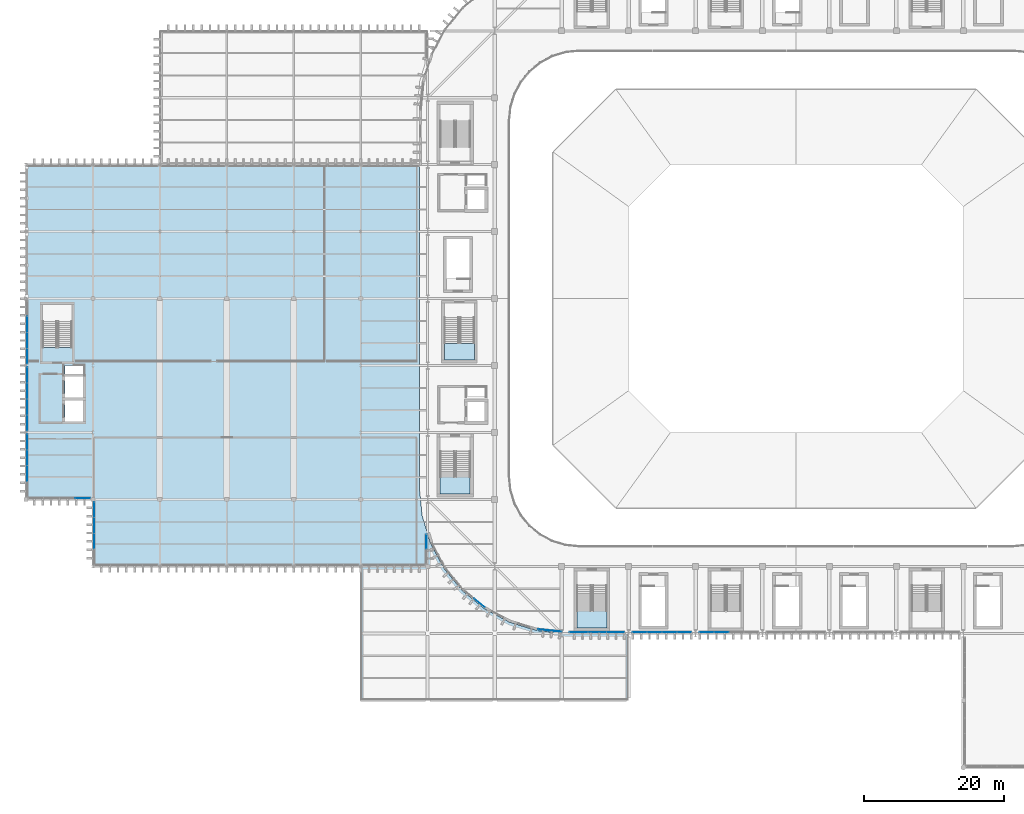
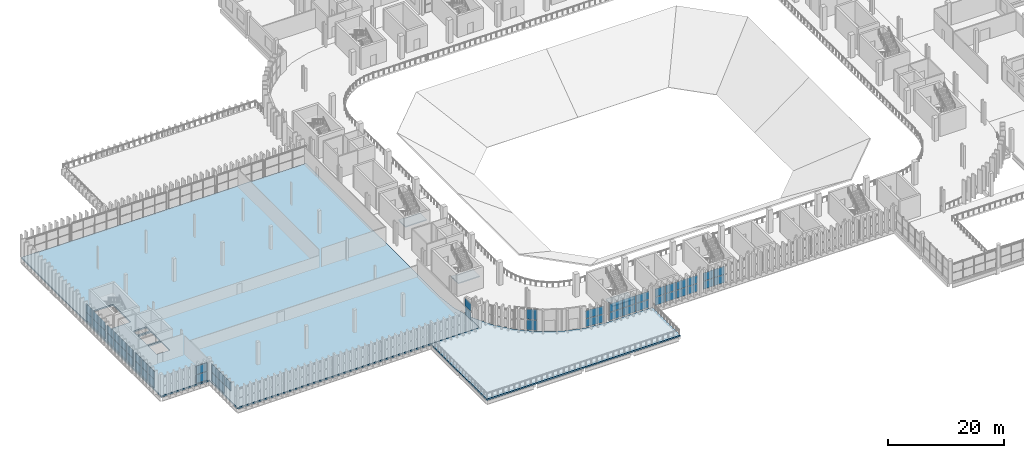
# One storey, part 50 of 99: 51 plates, 5 slabs, 14 elements without a shape of their own.
"""IFC4 building model written with IfcOpenShell, lengths in metres."""

from ifc_helpers import new_model, si_unit, direction, frame, origin, origin_2d, place, context, subcontext, project, spatial, polyline, rectangle, outline, extrude, material, layer, layer_set, type_object, element, aggregate, save


model = new_model("IFC4")

# Units and contexts
model_context = context("Model", 3, precision=1e-05, world=origin(), true_north=direction((0.0, 1.0)))
body_context = subcontext(model_context, "Body", "Model", "MODEL_VIEW")
ifc_project = project(units=[si_unit("LENGTHUNIT", "METRE"), si_unit("AREAUNIT", "SQUARE_METRE"), si_unit("VOLUMEUNIT", "CUBIC_METRE"), si_unit("PLANEANGLEUNIT", "RADIAN"), si_unit("MASSUNIT", "GRAM", prefix="KILO")], contexts=[model_context])

# Site, building, storey
site_placement = place(None, origin())
site = spatial("IfcSite", under=ifc_project, at=site_placement, CompositionType="ELEMENT")
building_placement = place(site_placement, origin())
building = spatial("IfcBuilding", under=site, at=building_placement, Name="Caelomonte Colonnade Arena", CompositionType="ELEMENT")
storey_placement = place(building_placement, frame((0.0, 0.0, 4.800048828125)))
storey = spatial("IfcBuildingStorey", under=building, at=storey_placement, Name="L01", CompositionType="ELEMENT", Elevation=4.800048828125)

# Curtain wall, plates
ifc_material_1 = material(Name="Bronze anodised aluminium and low-E glazing", Category="aluminium")
ifc_layer_1 = layer(ifc_material_1, 0.179931640625)
ifc_layer_set_1 = layer_set([ifc_layer_1], Name="Bronze anodised aluminium and low-E glazing")
curtain_wall_type_1 = type_object("IfcCurtainWallType", Name="ENV-CW-CW-L01-42-36", PredefinedType="USERDEFINED", material=ifc_layer_set_1)
curtain_wall_1_placement = place(storey_placement, origin())
curtain_wall_1 = element("IfcCurtainWall", 1, at=curtain_wall_1_placement, inside=storey, type_object=curtain_wall_type_1, Name="L01 unitized curtain wall CW-L01-0753-0196", ObjectType="UNITIZED CURTAIN WALL", PredefinedType="USERDEFINED")
ifc_material_2 = material(Name="Solar-control bronze low-E double glazing", Category="glass")
ifc_layer_2 = layer(ifc_material_2, 0.028076171875)
ifc_layer_set_2 = layer_set([ifc_layer_2], Name="Solar-control bronze low-E double glazing")
plate_type = type_object("IfcPlateType", Name="ENV-CW-PAN28", PredefinedType="CURTAIN_PANEL", material=ifc_layer_set_2)
plate_1_placement = place(storey_placement, frame((75.127685546875, 19.604736328125, 0.070068359375), z_axis=(0.0, 0.0, 1.0), x_axis=(0.995184134744, -0.098023150088, 0.0)))
plate_1 = element("IfcPlate", 2, at=plate_1_placement, type_object=plate_type, Name="CW-L01-42-36 panel 1.1", PredefinedType="CURTAIN_PANEL", context=body_context, shape_type="SweptSolid", body=[
    extrude(rectangle(XDim=3.4111328125, YDim=0.028076171875, at=origin_2d()), origin(), (0.0, 0.0, 1.0), 1.69140625),
])
plate_2_placement = place(storey_placement, frame((75.127685546875, 19.604736328125, 1.83154296875), z_axis=(0.0, 0.0, 1.0), x_axis=(0.995184134744, -0.098023150088, 0.0)))
plate_2 = element("IfcPlate", 3, at=plate_2_placement, type_object=plate_type, Name="CW-L01-42-36 panel 1.2", PredefinedType="CURTAIN_PANEL", context=body_context, shape_type="SweptSolid", body=[
    extrude(rectangle(XDim=3.4111328125, YDim=0.028076171875, at=origin_2d()), origin(), (0.0, 0.0, 1.0), 1.69140625),
])
aggregate(curtain_wall_1, [plate_1, plate_2])

ifc_layer_3 = layer(ifc_material_1, 0.179931640625)
ifc_layer_set_3 = layer_set([ifc_layer_3], Name="Bronze anodised aluminium and low-E glazing")
curtain_wall_type_2 = type_object("IfcCurtainWallType", Name="ENV-CW-CW-L01-90-36", PredefinedType="USERDEFINED", material=ifc_layer_set_3)
curtain_wall_2_placement = place(storey_placement, origin())
curtain_wall_2 = element("IfcCurtainWall", 4, at=curtain_wall_2_placement, inside=storey, type_object=curtain_wall_type_2, Name="L01 unitized curtain wall CW-L01-0819-0194", ObjectType="UNITIZED CURTAIN WALL", PredefinedType="USERDEFINED")
plate_3_placement = place(storey_placement, frame((79.267822265625, 19.3798828125, 0.070068359375), z_axis=(0.0, 0.0, 1.0), x_axis=(1.0, 0.0, 0.0)))
plate_3 = element("IfcPlate", 5, at=plate_3_placement, type_object=plate_type, Name="CW-L01-90-36 panel 1.1", PredefinedType="CURTAIN_PANEL", context=body_context, shape_type="SweptSolid", body=[
    extrude(rectangle(XDim=2.544677734375, YDim=0.028076171875, at=origin_2d()), origin(), (0.0, 0.0, 1.0), 1.69140625),
])
plate_4_placement = place(storey_placement, frame((79.267822265625, 19.3798828125, 1.83154296875), z_axis=(0.0, 0.0, 1.0), x_axis=(1.0, 0.0, 0.0)))
plate_4 = element("IfcPlate", 6, at=plate_4_placement, type_object=plate_type, Name="CW-L01-90-36 panel 1.2", PredefinedType="CURTAIN_PANEL", context=body_context, shape_type="SweptSolid", body=[
    extrude(rectangle(XDim=2.544677734375, YDim=0.028076171875, at=origin_2d()), origin(), (0.0, 0.0, 1.0), 1.69140625),
])
plate_5_placement = place(storey_placement, frame((81.89990234375, 19.3798828125, 0.070068359375), z_axis=(0.0, 0.0, 1.0), x_axis=(1.0, 0.0, 0.0)))
plate_5 = element("IfcPlate", 7, at=plate_5_placement, type_object=plate_type, Name="CW-L01-90-36 panel 2.1", PredefinedType="CURTAIN_PANEL", context=body_context, shape_type="SweptSolid", body=[
    extrude(rectangle(XDim=2.57958984375, YDim=0.028076171875, at=origin_2d()), origin(), (0.0, 0.0, 1.0), 1.69140625),
])
plate_6_placement = place(storey_placement, frame((81.89990234375, 19.3798828125, 1.83154296875), z_axis=(0.0, 0.0, 1.0), x_axis=(1.0, 0.0, 0.0)))
plate_6 = element("IfcPlate", 8, at=plate_6_placement, type_object=plate_type, Name="CW-L01-90-36 panel 2.2", PredefinedType="CURTAIN_PANEL", context=body_context, shape_type="SweptSolid", body=[
    extrude(rectangle(XDim=2.57958984375, YDim=0.028076171875, at=origin_2d()), origin(), (0.0, 0.0, 1.0), 1.69140625),
])
plate_7_placement = place(storey_placement, frame((84.5322265625, 19.3798828125, 0.070068359375), z_axis=(0.0, 0.0, 1.0), x_axis=(1.0, 0.0, 0.0)))
plate_7 = element("IfcPlate", 9, at=plate_7_placement, type_object=plate_type, Name="CW-L01-90-36 panel 3.1", PredefinedType="CURTAIN_PANEL", context=body_context, shape_type="SweptSolid", body=[
    extrude(rectangle(XDim=2.544677734375, YDim=0.028076171875, at=origin_2d()), origin(), (0.0, 0.0, 1.0), 1.69140625),
])
plate_8_placement = place(storey_placement, frame((84.5322265625, 19.3798828125, 1.83154296875), z_axis=(0.0, 0.0, 1.0), x_axis=(1.0, 0.0, 0.0)))
plate_8 = element("IfcPlate", 10, at=plate_8_placement, type_object=plate_type, Name="CW-L01-90-36 panel 3.2", PredefinedType="CURTAIN_PANEL", context=body_context, shape_type="SweptSolid", body=[
    extrude(rectangle(XDim=2.544677734375, YDim=0.028076171875, at=origin_2d()), origin(), (0.0, 0.0, 1.0), 1.69140625),
])
aggregate(curtain_wall_2, [plate_3, plate_4, plate_5, plate_6, plate_7, plate_8])

ifc_layer_4 = layer(ifc_material_1, 0.179931640625)
ifc_layer_set_4 = layer_set([ifc_layer_4], Name="Bronze anodised aluminium and low-E glazing")
curtain_wall_type_3 = type_object("IfcCurtainWallType", Name="ENV-CW-CW-L01-96-36", PredefinedType="USERDEFINED", material=ifc_layer_set_4)
curtain_wall_3_placement = place(storey_placement, origin())
curtain_wall_3 = element("IfcCurtainWall", 11, at=curtain_wall_3_placement, inside=storey, type_object=curtain_wall_type_3, Name="L01 unitized curtain wall CW-L01-0912-0194", ObjectType="UNITIZED CURTAIN WALL", PredefinedType="USERDEFINED")
plate_9_placement = place(storey_placement, frame((88.01171875, 19.3798828125, 0.070068359375), z_axis=(0.0, 0.0, 1.0), x_axis=(1.0, 0.0, 0.0)))
plate_9 = element("IfcPlate", 12, at=plate_9_placement, type_object=plate_type, Name="CW-L01-96-36 panel 1.1", PredefinedType="CURTAIN_PANEL", context=body_context, shape_type="SweptSolid", body=[
    extrude(rectangle(XDim=2.0322265625, YDim=0.028076171875, at=origin_2d()), origin(), (0.0, 0.0, 1.0), 1.69140625),
])
plate_10_placement = place(storey_placement, frame((88.01171875, 19.3798828125, 1.83154296875), z_axis=(0.0, 0.0, 1.0), x_axis=(1.0, 0.0, 0.0)))
plate_10 = element("IfcPlate", 13, at=plate_10_placement, type_object=plate_type, Name="CW-L01-96-36 panel 1.2", PredefinedType="CURTAIN_PANEL", context=body_context, shape_type="SweptSolid", body=[
    extrude(rectangle(XDim=2.0322265625, YDim=0.028076171875, at=origin_2d()), origin(), (0.0, 0.0, 1.0), 1.69140625),
])
plate_11_placement = place(storey_placement, frame((90.13134765625, 19.3798828125, 0.070068359375), z_axis=(0.0, 0.0, 1.0), x_axis=(1.0, 0.0, 0.0)))
plate_11 = element("IfcPlate", 14, at=plate_11_placement, type_object=plate_type, Name="CW-L01-96-36 panel 2.1", PredefinedType="CURTAIN_PANEL", context=body_context, shape_type="SweptSolid", body=[
    extrude(rectangle(XDim=2.067138671875, YDim=0.028076171875, at=origin_2d()), origin(), (0.0, 0.0, 1.0), 1.69140625),
])
plate_12_placement = place(storey_placement, frame((90.13134765625, 19.3798828125, 1.83154296875), z_axis=(0.0, 0.0, 1.0), x_axis=(1.0, 0.0, 0.0)))
plate_12 = element("IfcPlate", 15, at=plate_12_placement, type_object=plate_type, Name="CW-L01-96-36 panel 2.2", PredefinedType="CURTAIN_PANEL", context=body_context, shape_type="SweptSolid", body=[
    extrude(rectangle(XDim=2.067138671875, YDim=0.028076171875, at=origin_2d()), origin(), (0.0, 0.0, 1.0), 1.69140625),
])
plate_13_placement = place(storey_placement, frame((92.2685546875, 19.3798828125, 0.070068359375), z_axis=(0.0, 0.0, 1.0), x_axis=(1.0, 0.0, 0.0)))
plate_13 = element("IfcPlate", 16, at=plate_13_placement, type_object=plate_type, Name="CW-L01-96-36 panel 3.1", PredefinedType="CURTAIN_PANEL", context=body_context, shape_type="SweptSolid", body=[
    extrude(rectangle(XDim=2.067138671875, YDim=0.028076171875, at=origin_2d()), origin(), (0.0, 0.0, 1.0), 1.69140625),
])
plate_14_placement = place(storey_placement, frame((92.2685546875, 19.3798828125, 1.83154296875), z_axis=(0.0, 0.0, 1.0), x_axis=(1.0, 0.0, 0.0)))
plate_14 = element("IfcPlate", 17, at=plate_14_placement, type_object=plate_type, Name="CW-L01-96-36 panel 3.2", PredefinedType="CURTAIN_PANEL", context=body_context, shape_type="SweptSolid", body=[
    extrude(rectangle(XDim=2.067138671875, YDim=0.028076171875, at=origin_2d()), origin(), (0.0, 0.0, 1.0), 1.69140625),
])
plate_15_placement = place(storey_placement, frame((94.388427734375, 19.3798828125, 0.070068359375), z_axis=(0.0, 0.0, 1.0), x_axis=(1.0, 0.0, 0.0)))
plate_15 = element("IfcPlate", 18, at=plate_15_placement, type_object=plate_type, Name="CW-L01-96-36 panel 4.1", PredefinedType="CURTAIN_PANEL", context=body_context, shape_type="SweptSolid", body=[
    extrude(rectangle(XDim=2.0322265625, YDim=0.028076171875, at=origin_2d()), origin(), (0.0, 0.0, 1.0), 1.69140625),
])
plate_16_placement = place(storey_placement, frame((94.388427734375, 19.3798828125, 1.83154296875), z_axis=(0.0, 0.0, 1.0), x_axis=(1.0, 0.0, 0.0)))
plate_16 = element("IfcPlate", 19, at=plate_16_placement, type_object=plate_type, Name="CW-L01-96-36 panel 4.2", PredefinedType="CURTAIN_PANEL", context=body_context, shape_type="SweptSolid", body=[
    extrude(rectangle(XDim=2.0322265625, YDim=0.028076171875, at=origin_2d()), origin(), (0.0, 0.0, 1.0), 1.69140625),
])
aggregate(curtain_wall_3, [plate_9, plate_10, plate_11, plate_12, plate_13, plate_14, plate_15, plate_16])

curtain_wall_4_placement = place(storey_placement, origin())
curtain_wall_4 = element("IfcCurtainWall", 20, at=curtain_wall_4_placement, inside=storey, type_object=curtain_wall_type_3, Name="L01 unitized curtain wall CW-L01-1008-0194", ObjectType="UNITIZED CURTAIN WALL", PredefinedType="USERDEFINED")
plate_17_placement = place(storey_placement, frame((97.611572265625, 19.3798828125, 0.070068359375), z_axis=(0.0, 0.0, 1.0), x_axis=(1.0, 0.0, 0.0)))
plate_17 = element("IfcPlate", 21, at=plate_17_placement, type_object=plate_type, Name="CW-L01-96-36 panel 1.1", PredefinedType="CURTAIN_PANEL", context=body_context, shape_type="SweptSolid", body=[
    extrude(rectangle(XDim=2.0322265625, YDim=0.028076171875, at=origin_2d()), origin(), (0.0, 0.0, 1.0), 1.69140625),
])
plate_18_placement = place(storey_placement, frame((97.611572265625, 19.3798828125, 1.83154296875), z_axis=(0.0, 0.0, 1.0), x_axis=(1.0, 0.0, 0.0)))
plate_18 = element("IfcPlate", 22, at=plate_18_placement, type_object=plate_type, Name="CW-L01-96-36 panel 1.2", PredefinedType="CURTAIN_PANEL", context=body_context, shape_type="SweptSolid", body=[
    extrude(rectangle(XDim=2.0322265625, YDim=0.028076171875, at=origin_2d()), origin(), (0.0, 0.0, 1.0), 1.69140625),
])
plate_19_placement = place(storey_placement, frame((99.7314453125, 19.3798828125, 0.070068359375), z_axis=(0.0, 0.0, 1.0), x_axis=(1.0, 0.0, 0.0)))
plate_19 = element("IfcPlate", 23, at=plate_19_placement, type_object=plate_type, Name="CW-L01-96-36 panel 2.1", PredefinedType="CURTAIN_PANEL", context=body_context, shape_type="SweptSolid", body=[
    extrude(rectangle(XDim=2.067138671875, YDim=0.028076171875, at=origin_2d()), origin(), (0.0, 0.0, 1.0), 1.69140625),
])
plate_20_placement = place(storey_placement, frame((99.7314453125, 19.3798828125, 1.83154296875), z_axis=(0.0, 0.0, 1.0), x_axis=(1.0, 0.0, 0.0)))
plate_20 = element("IfcPlate", 24, at=plate_20_placement, type_object=plate_type, Name="CW-L01-96-36 panel 2.2", PredefinedType="CURTAIN_PANEL", context=body_context, shape_type="SweptSolid", body=[
    extrude(rectangle(XDim=2.067138671875, YDim=0.028076171875, at=origin_2d()), origin(), (0.0, 0.0, 1.0), 1.69140625),
])
aggregate(curtain_wall_4, [plate_17, plate_18, plate_19, plate_20])

curtain_wall_5_placement = place(storey_placement, origin())
curtain_wall_5 = element("IfcCurtainWall", 25, at=curtain_wall_5_placement, inside=storey, type_object=curtain_wall_type_3, Name="L01 unitized curtain wall CW-L01-0002-0624", ObjectType="UNITIZED CURTAIN WALL", PredefinedType="USERDEFINED")
plate_21_placement = place(storey_placement, frame((0.179931640625, 63.4765625, 0.06494140625), z_axis=(0.0, 0.0, 1.0), x_axis=(0.0, -1.0, 0.0)))
plate_21 = element("IfcPlate", 26, at=plate_21_placement, type_object=plate_type, Name="CW-L01-96-36 panel 2.1", PredefinedType="CURTAIN_PANEL", context=body_context, shape_type="SweptSolid", body=[
    extrude(rectangle(XDim=2.203857421875, YDim=0.028076171875, at=origin_2d()), origin(), (0.0, 0.0, 1.0), 1.698974609375),
])
plate_22_placement = place(storey_placement, frame((0.179931640625, 63.4765625, 1.8291015625), z_axis=(0.0, 0.0, 1.0), x_axis=(0.0, -1.0, 0.0)))
plate_22 = element("IfcPlate", 27, at=plate_22_placement, type_object=plate_type, Name="CW-L01-96-36 panel 2.2", PredefinedType="CURTAIN_PANEL", context=body_context, shape_type="SweptSolid", body=[
    extrude(rectangle(XDim=2.203857421875, YDim=0.028076171875, at=origin_2d()), origin(), (0.0, 0.0, 1.0), 1.698974609375),
])
plate_23_placement = place(storey_placement, frame((0.179931640625, 61.207763671875, 0.06494140625), z_axis=(0.0, 0.0, 1.0), x_axis=(0.0, -1.0, 0.0)))
plate_23 = element("IfcPlate", 28, at=plate_23_placement, type_object=plate_type, Name="CW-L01-96-36 panel 3.1", PredefinedType="CURTAIN_PANEL", context=body_context, shape_type="SweptSolid", body=[
    extrude(rectangle(XDim=2.203857421875, YDim=0.028076171875, at=origin_2d()), origin(), (0.0, 0.0, 1.0), 1.698974609375),
])
plate_24_placement = place(storey_placement, frame((0.179931640625, 61.207763671875, 1.8291015625), z_axis=(0.0, 0.0, 1.0), x_axis=(0.0, -1.0, 0.0)))
plate_24 = element("IfcPlate", 29, at=plate_24_placement, type_object=plate_type, Name="CW-L01-96-36 panel 3.2", PredefinedType="CURTAIN_PANEL", context=body_context, shape_type="SweptSolid", body=[
    extrude(rectangle(XDim=2.203857421875, YDim=0.028076171875, at=origin_2d()), origin(), (0.0, 0.0, 1.0), 1.698974609375),
])
plate_25_placement = place(storey_placement, frame((0.179931640625, 58.955078125, 0.06494140625), z_axis=(0.0, 0.0, 1.0), x_axis=(0.0, -1.0, 0.0)))
plate_25 = element("IfcPlate", 30, at=plate_25_placement, type_object=plate_type, Name="CW-L01-96-36 panel 4.1", PredefinedType="CURTAIN_PANEL", context=body_context, shape_type="SweptSolid", body=[
    extrude(rectangle(XDim=2.17138671875, YDim=0.028076171875, at=origin_2d()), origin(), (0.0, 0.0, 1.0), 1.698974609375),
])
plate_26_placement = place(storey_placement, frame((0.179931640625, 58.955078125, 1.8291015625), z_axis=(0.0, 0.0, 1.0), x_axis=(0.0, -1.0, 0.0)))
plate_26 = element("IfcPlate", 31, at=plate_26_placement, type_object=plate_type, Name="CW-L01-96-36 panel 4.2", PredefinedType="CURTAIN_PANEL", context=body_context, shape_type="SweptSolid", body=[
    extrude(rectangle(XDim=2.17138671875, YDim=0.028076171875, at=origin_2d()), origin(), (0.0, 0.0, 1.0), 1.698974609375),
])
aggregate(curtain_wall_5, [plate_21, plate_22, plate_23, plate_24, plate_25, plate_26])

curtain_wall_6_placement = place(storey_placement, origin())
curtain_wall_6 = element("IfcCurtainWall", 32, at=curtain_wall_6_placement, inside=storey, type_object=curtain_wall_type_3, Name="L01 unitized curtain wall CW-L01-0002-0528", ObjectType="UNITIZED CURTAIN WALL", PredefinedType="USERDEFINED")
plate_27_placement = place(storey_placement, frame((0.179931640625, 56.23046875, 0.06494140625), z_axis=(0.0, 0.0, 1.0), x_axis=(0.0, -1.0, 0.0)))
plate_27 = element("IfcPlate", 33, at=plate_27_placement, type_object=plate_type, Name="CW-L01-96-36 panel 1.1", PredefinedType="CURTAIN_PANEL", context=body_context, shape_type="SweptSolid", body=[
    extrude(rectangle(XDim=2.2001953125, YDim=0.028076171875, at=origin_2d()), origin(), (0.0, 0.0, 1.0), 1.698974609375),
])
plate_28_placement = place(storey_placement, frame((0.179931640625, 56.23046875, 1.8291015625), z_axis=(0.0, 0.0, 1.0), x_axis=(0.0, -1.0, 0.0)))
plate_28 = element("IfcPlate", 34, at=plate_28_placement, type_object=plate_type, Name="CW-L01-96-36 panel 1.2", PredefinedType="CURTAIN_PANEL", context=body_context, shape_type="SweptSolid", body=[
    extrude(rectangle(XDim=2.2001953125, YDim=0.028076171875, at=origin_2d()), origin(), (0.0, 0.0, 1.0), 1.698974609375),
])
plate_29_placement = place(storey_placement, frame((0.179931640625, 53.948974609375, 0.06494140625), z_axis=(0.0, 0.0, 1.0), x_axis=(0.0, -1.0, 0.0)))
plate_29 = element("IfcPlate", 35, at=plate_29_placement, type_object=plate_type, Name="CW-L01-96-36 panel 2.1", PredefinedType="CURTAIN_PANEL", context=body_context, shape_type="SweptSolid", body=[
    extrude(rectangle(XDim=2.23291015625, YDim=0.028076171875, at=origin_2d()), origin(), (0.0, 0.0, 1.0), 1.698974609375),
])
plate_30_placement = place(storey_placement, frame((0.179931640625, 53.948974609375, 1.8291015625), z_axis=(0.0, 0.0, 1.0), x_axis=(0.0, -1.0, 0.0)))
plate_30 = element("IfcPlate", 36, at=plate_30_placement, type_object=plate_type, Name="CW-L01-96-36 panel 2.2", PredefinedType="CURTAIN_PANEL", context=body_context, shape_type="SweptSolid", body=[
    extrude(rectangle(XDim=2.23291015625, YDim=0.028076171875, at=origin_2d()), origin(), (0.0, 0.0, 1.0), 1.698974609375),
])
plate_31_placement = place(storey_placement, frame((0.179931640625, 51.651123046875, 0.06494140625), z_axis=(0.0, 0.0, 1.0), x_axis=(0.0, -1.0, 0.0)))
plate_31 = element("IfcPlate", 37, at=plate_31_placement, type_object=plate_type, Name="CW-L01-96-36 panel 3.1", PredefinedType="CURTAIN_PANEL", context=body_context, shape_type="SweptSolid", body=[
    extrude(rectangle(XDim=2.23291015625, YDim=0.028076171875, at=origin_2d()), origin(), (0.0, 0.0, 1.0), 1.698974609375),
])
plate_32_placement = place(storey_placement, frame((0.179931640625, 51.651123046875, 1.8291015625), z_axis=(0.0, 0.0, 1.0), x_axis=(0.0, -1.0, 0.0)))
plate_32 = element("IfcPlate", 38, at=plate_32_placement, type_object=plate_type, Name="CW-L01-96-36 panel 3.2", PredefinedType="CURTAIN_PANEL", context=body_context, shape_type="SweptSolid", body=[
    extrude(rectangle(XDim=2.23291015625, YDim=0.028076171875, at=origin_2d()), origin(), (0.0, 0.0, 1.0), 1.698974609375),
])
plate_33_placement = place(storey_placement, frame((0.179931640625, 49.36962890625, 0.06494140625), z_axis=(0.0, 0.0, 1.0), x_axis=(0.0, -1.0, 0.0)))
plate_33 = element("IfcPlate", 39, at=plate_33_placement, type_object=plate_type, Name="CW-L01-96-36 panel 4.1", PredefinedType="CURTAIN_PANEL", context=body_context, shape_type="SweptSolid", body=[
    extrude(rectangle(XDim=2.2001953125, YDim=0.028076171875, at=origin_2d()), origin(), (0.0, 0.0, 1.0), 1.698974609375),
])
plate_34_placement = place(storey_placement, frame((0.179931640625, 49.36962890625, 1.8291015625), z_axis=(0.0, 0.0, 1.0), x_axis=(0.0, -1.0, 0.0)))
plate_34 = element("IfcPlate", 40, at=plate_34_placement, type_object=plate_type, Name="CW-L01-96-36 panel 4.2", PredefinedType="CURTAIN_PANEL", context=body_context, shape_type="SweptSolid", body=[
    extrude(rectangle(XDim=2.2001953125, YDim=0.028076171875, at=origin_2d()), origin(), (0.0, 0.0, 1.0), 1.698974609375),
])
aggregate(curtain_wall_6, [plate_27, plate_28, plate_29, plate_30, plate_31, plate_32, plate_33, plate_34])

curtain_wall_7_placement = place(storey_placement, origin())
curtain_wall_7 = element("IfcCurtainWall", 41, at=curtain_wall_7_placement, inside=storey, type_object=curtain_wall_type_3, Name="L01 unitized curtain wall CW-L01-0002-0432", ObjectType="UNITIZED CURTAIN WALL", PredefinedType="USERDEFINED")
plate_35_placement = place(storey_placement, frame((0.179931640625, 46.64501953125, 0.06494140625), z_axis=(0.0, 0.0, 1.0), x_axis=(0.0, -1.0, 0.0)))
plate_35 = element("IfcPlate", 42, at=plate_35_placement, type_object=plate_type, Name="CW-L01-96-36 panel 1.1", PredefinedType="CURTAIN_PANEL", context=body_context, shape_type="SweptSolid", body=[
    extrude(rectangle(XDim=2.17138671875, YDim=0.028076171875, at=origin_2d()), origin(), (0.0, 0.0, 1.0), 1.698974609375),
])
plate_36_placement = place(storey_placement, frame((0.179931640625, 46.64501953125, 1.8291015625), z_axis=(0.0, 0.0, 1.0), x_axis=(0.0, -1.0, 0.0)))
plate_36 = element("IfcPlate", 43, at=plate_36_placement, type_object=plate_type, Name="CW-L01-96-36 panel 1.2", PredefinedType="CURTAIN_PANEL", context=body_context, shape_type="SweptSolid", body=[
    extrude(rectangle(XDim=2.17138671875, YDim=0.028076171875, at=origin_2d()), origin(), (0.0, 0.0, 1.0), 1.698974609375),
])
plate_37_placement = place(storey_placement, frame((0.179931640625, 44.392333984375, 0.06494140625), z_axis=(0.0, 0.0, 1.0), x_axis=(0.0, -1.0, 0.0)))
plate_37 = element("IfcPlate", 44, at=plate_37_placement, type_object=plate_type, Name="CW-L01-96-36 panel 2.1", PredefinedType="CURTAIN_PANEL", context=body_context, shape_type="SweptSolid", body=[
    extrude(rectangle(XDim=2.203857421875, YDim=0.028076171875, at=origin_2d()), origin(), (0.0, 0.0, 1.0), 1.698974609375),
])
plate_38_placement = place(storey_placement, frame((0.179931640625, 44.392333984375, 1.8291015625), z_axis=(0.0, 0.0, 1.0), x_axis=(0.0, -1.0, 0.0)))
plate_38 = element("IfcPlate", 45, at=plate_38_placement, type_object=plate_type, Name="CW-L01-96-36 panel 2.2", PredefinedType="CURTAIN_PANEL", context=body_context, shape_type="SweptSolid", body=[
    extrude(rectangle(XDim=2.203857421875, YDim=0.028076171875, at=origin_2d()), origin(), (0.0, 0.0, 1.0), 1.698974609375),
])
plate_39_placement = place(storey_placement, frame((0.179931640625, 42.123291015625, 0.06494140625), z_axis=(0.0, 0.0, 1.0), x_axis=(0.0, -1.0, 0.0)))
plate_39 = element("IfcPlate", 46, at=plate_39_placement, type_object=plate_type, Name="CW-L01-96-36 panel 3.1", PredefinedType="CURTAIN_PANEL", context=body_context, shape_type="SweptSolid", body=[
    extrude(rectangle(XDim=2.203857421875, YDim=0.028076171875, at=origin_2d()), origin(), (0.0, 0.0, 1.0), 1.698974609375),
])
plate_40_placement = place(storey_placement, frame((0.179931640625, 42.123291015625, 1.8291015625), z_axis=(0.0, 0.0, 1.0), x_axis=(0.0, -1.0, 0.0)))
plate_40 = element("IfcPlate", 47, at=plate_40_placement, type_object=plate_type, Name="CW-L01-96-36 panel 3.2", PredefinedType="CURTAIN_PANEL", context=body_context, shape_type="SweptSolid", body=[
    extrude(rectangle(XDim=2.203857421875, YDim=0.028076171875, at=origin_2d()), origin(), (0.0, 0.0, 1.0), 1.698974609375),
])
aggregate(curtain_wall_7, [plate_35, plate_36, plate_37, plate_38, plate_39, plate_40])

ifc_layer_5 = layer(ifc_material_1, 0.179931640625)
ifc_layer_set_5 = layer_set([ifc_layer_5], Name="Bronze anodised aluminium and low-E glazing")
curtain_wall_type_4 = type_object("IfcCurtainWallType", Name="ENV-CW-CW-L01-96-38", PredefinedType="USERDEFINED", material=ifc_layer_set_5)
curtain_wall_8_placement = place(storey_placement, origin())
curtain_wall_8 = element("IfcCurtainWall", 48, at=curtain_wall_8_placement, inside=storey, type_object=curtain_wall_type_4, Name="L01 unitized curtain wall CW-L01-0048-0386", ObjectType="UNITIZED CURTAIN WALL", PredefinedType="USERDEFINED")
plate_41_placement = place(storey_placement, frame((8.143798828125, 38.580078125, 0.06494140625), z_axis=(0.0, 0.0, 1.0), x_axis=(1.0, 0.0, 0.0)))
plate_41 = element("IfcPlate", 49, at=plate_41_placement, type_object=plate_type, Name="CW-L01-96-38 panel 4.1", PredefinedType="CURTAIN_PANEL", context=body_context, shape_type="SweptSolid", body=[
    extrude(rectangle(XDim=2.142578125, YDim=0.028076171875, at=origin_2d()), origin(), (0.0, 0.0, 1.0), 1.781494140625),
])
plate_42_placement = place(storey_placement, frame((8.143798828125, 38.580078125, 1.91162109375), z_axis=(0.0, 0.0, 1.0), x_axis=(1.0, 0.0, 0.0)))
plate_42 = element("IfcPlate", 50, at=plate_42_placement, type_object=plate_type, Name="CW-L01-96-38 panel 4.2", PredefinedType="CURTAIN_PANEL", context=body_context, shape_type="SweptSolid", body=[
    extrude(rectangle(XDim=2.142578125, YDim=0.028076171875, at=origin_2d()), origin(), (0.0, 0.0, 1.0), 1.781494140625),
])
aggregate(curtain_wall_8, [plate_41, plate_42])

curtain_wall_9_placement = place(storey_placement, origin())
curtain_wall_9 = element("IfcCurtainWall", 51, at=curtain_wall_9_placement, inside=storey, type_object=curtain_wall_type_4, Name="L01 unitized curtain wall CW-L01-0098-0336", ObjectType="UNITIZED CURTAIN WALL", PredefinedType="USERDEFINED")
plate_43_placement = place(storey_placement, frame((9.780029296875, 36.92919921875, 0.06494140625), z_axis=(0.0, 0.0, 1.0), x_axis=(0.0, -1.0, 0.0)))
plate_43 = element("IfcPlate", 52, at=plate_43_placement, type_object=plate_type, Name="CW-L01-96-38 panel 1.1", PredefinedType="CURTAIN_PANEL", context=body_context, shape_type="SweptSolid", body=[
    extrude(rectangle(XDim=2.17138671875, YDim=0.028076171875, at=origin_2d()), origin(), (0.0, 0.0, 1.0), 1.781494140625),
])
plate_44_placement = place(storey_placement, frame((9.780029296875, 36.92919921875, 1.91162109375), z_axis=(0.0, 0.0, 1.0), x_axis=(0.0, -1.0, 0.0)))
plate_44 = element("IfcPlate", 53, at=plate_44_placement, type_object=plate_type, Name="CW-L01-96-38 panel 1.2", PredefinedType="CURTAIN_PANEL", context=body_context, shape_type="SweptSolid", body=[
    extrude(rectangle(XDim=2.17138671875, YDim=0.028076171875, at=origin_2d()), origin(), (0.0, 0.0, 1.0), 1.781494140625),
])
plate_45_placement = place(storey_placement, frame((9.780029296875, 34.6767578125, 0.06494140625), z_axis=(0.0, 0.0, 1.0), x_axis=(0.0, -1.0, 0.0)))
plate_45 = element("IfcPlate", 54, at=plate_45_placement, type_object=plate_type, Name="CW-L01-96-38 panel 2.1", PredefinedType="CURTAIN_PANEL", context=body_context, shape_type="SweptSolid", body=[
    extrude(rectangle(XDim=2.203857421875, YDim=0.028076171875, at=origin_2d()), origin(), (0.0, 0.0, 1.0), 1.781494140625),
])
plate_46_placement = place(storey_placement, frame((9.780029296875, 34.6767578125, 1.91162109375), z_axis=(0.0, 0.0, 1.0), x_axis=(0.0, -1.0, 0.0)))
plate_46 = element("IfcPlate", 55, at=plate_46_placement, type_object=plate_type, Name="CW-L01-96-38 panel 2.2", PredefinedType="CURTAIN_PANEL", context=body_context, shape_type="SweptSolid", body=[
    extrude(rectangle(XDim=2.203857421875, YDim=0.028076171875, at=origin_2d()), origin(), (0.0, 0.0, 1.0), 1.781494140625),
])
plate_47_placement = place(storey_placement, frame((9.780029296875, 32.40771484375, 1.91162109375), z_axis=(0.0, 0.0, 1.0), x_axis=(0.0, -1.0, 0.0)))
plate_47 = element("IfcPlate", 56, at=plate_47_placement, type_object=plate_type, Name="CW-L01-96-38 panel 3.2", PredefinedType="CURTAIN_PANEL", context=body_context, shape_type="SweptSolid", body=[
    extrude(rectangle(XDim=2.203857421875, YDim=0.028076171875, at=origin_2d()), origin(), (0.0, 0.0, 1.0), 1.781494140625),
])
aggregate(curtain_wall_9, [plate_43, plate_44, plate_45, plate_46, plate_47])

ifc_layer_6 = layer(ifc_material_1, 0.179931640625)
ifc_layer_set_6 = layer_set([ifc_layer_6], Name="Bronze anodised aluminium and low-E glazing")
curtain_wall_type_5 = type_object("IfcCurtainWallType", Name="ENV-CW-CW-L01-48-36", PredefinedType="USERDEFINED", material=ifc_layer_set_6)
curtain_wall_10_placement = place(storey_placement, origin())
curtain_wall_10 = element("IfcCurtainWall", 57, at=curtain_wall_10_placement, inside=storey, type_object=curtain_wall_type_5, Name="L01 unitized curtain wall CW-L01-0574-0312", ObjectType="UNITIZED CURTAIN WALL", PredefinedType="USERDEFINED")
plate_48_placement = place(storey_placement, frame((57.419921875, 32.339111328125, 0.070068359375), z_axis=(0.0, 0.0, 1.0), x_axis=(0.0, 1.0, 0.0)))
plate_48 = element("IfcPlate", 58, at=plate_48_placement, type_object=plate_type, Name="CW-L01-48-36 panel 2.1", PredefinedType="CURTAIN_PANEL", context=body_context, shape_type="SweptSolid", body=[
    extrude(rectangle(XDim=2.052734375, YDim=0.028076171875, at=origin_2d()), origin(), (0.0, 0.0, 1.0), 1.69140625),
])
plate_49_placement = place(storey_placement, frame((57.419921875, 32.339111328125, 1.83154296875), z_axis=(0.0, 0.0, 1.0), x_axis=(0.0, 1.0, 0.0)))
plate_49 = element("IfcPlate", 59, at=plate_49_placement, type_object=plate_type, Name="CW-L01-48-36 panel 2.2", PredefinedType="CURTAIN_PANEL", context=body_context, shape_type="SweptSolid", body=[
    extrude(rectangle(XDim=2.052734375, YDim=0.028076171875, at=origin_2d()), origin(), (0.0, 0.0, 1.0), 1.69140625),
])
aggregate(curtain_wall_10, [plate_48, plate_49])

ifc_layer_7 = layer(ifc_material_1, 0.179931640625)
ifc_layer_set_7 = layer_set([ifc_layer_7], Name="Bronze anodised aluminium and low-E glazing")
curtain_wall_type_6 = type_object("IfcCurtainWallType", Name="ENV-CW-CW-L01-44-45", PredefinedType="USERDEFINED", material=ifc_layer_set_7)
curtain_wall_11_placement = place(storey_placement, origin())
curtain_wall_11 = element("IfcCurtainWall", 60, at=curtain_wall_11_placement, inside=storey, type_object=curtain_wall_type_6, Name="L01 unitized curtain wall CW-L01-0643-0242", ObjectType="UNITIZED CURTAIN WALL", PredefinedType="USERDEFINED")
plate_50_placement = place(storey_placement, frame((65.022705078125, 23.554931640625, 0.06982421875), z_axis=(0.0, 0.0, 1.0), x_axis=(0.772991751994, -0.634416071163, 0.0)))
plate_50 = element("IfcPlate", 61, at=plate_50_placement, type_object=plate_type, Name="CW-L01-44-45 panel 2.1", PredefinedType="CURTAIN_PANEL", context=body_context, shape_type="SweptSolid", body=[
    extrude(rectangle(XDim=1.913330078125, YDim=0.028076171875, at=origin_2d()), origin(), (0.0, 0.0, 1.0), 2.155029296875),
])
plate_51_placement = place(storey_placement, frame((65.022705078125, 23.554931640625, 2.294921875), z_axis=(0.0, 0.0, 1.0), x_axis=(0.772991751994, -0.634416071163, 0.0)))
plate_51 = element("IfcPlate", 62, at=plate_51_placement, type_object=plate_type, Name="CW-L01-44-45 panel 2.2", PredefinedType="CURTAIN_PANEL", context=body_context, shape_type="SweptSolid", body=[
    extrude(rectangle(XDim=1.913330078125, YDim=0.028076171875, at=origin_2d()), origin(), (0.0, 0.0, 1.0), 2.155029296875),
])
aggregate(curtain_wall_11, [plate_50, plate_51])

# Stair, slab
ifc_material_3 = material(Name="Concrete C40/50", Category="concrete")
stair_type_1 = type_object("IfcStairType", Name="INT-ST-WING48", PredefinedType="HALF_TURN_STAIR", material=ifc_material_3)
stair_1_placement = place(storey_placement, origin())
stair_1 = element("IfcStair", 63, at=stair_1_placement, inside=storey, type_object=stair_type_1, Name="L01 Core C1 exit stair ST-01", PredefinedType="HALF_TURN_STAIR")
ifc_layer_8 = layer(ifc_material_3, 0.199951171875)
ifc_layer_set_8 = layer_set([ifc_layer_8], Name="Concrete C40/50")
slab_type_1 = type_object("IfcSlabType", Name="INT-SL-LAND20", PredefinedType="LANDING", material=ifc_layer_set_8)
slab_1_placement = place(storey_placement, frame((0.0, 0.0, 2.199951171875)))
slab_1 = element("IfcSlab", 64, at=slab_1_placement, type_object=slab_type_1, Name="ST-01 landing 1", PredefinedType="LANDING", context=body_context, shape_type="SweptSolid", body=[
    extrude(outline(polyline([(59.39990234375, 41.594970703125), (59.39990234375, 39.199951171875), (63.699951171875, 39.199951171875), (63.699951171875, 41.594970703125), (59.39990234375, 41.594970703125)])), origin(), (0.0, 0.0, 1.0), 0.199951171875),
])
aggregate(stair_1, [slab_1])

stair_type_2 = type_object("IfcStairType", Name="INT-ST-CORE48", PredefinedType="HALF_TURN_STAIR", material=ifc_material_3)
stair_2_placement = place(storey_placement, origin())
stair_2 = element("IfcStair", 65, at=stair_2_placement, inside=storey, type_object=stair_type_2, Name="L01 Protected exit stair ST-09", PredefinedType="HALF_TURN_STAIR")
slab_2_placement = place(storey_placement, frame((0.0, 0.0, 2.199951171875)))
slab_2 = element("IfcSlab", 66, at=slab_2_placement, type_object=slab_type_1, Name="ST-09 landing 1", PredefinedType="LANDING", context=body_context, shape_type="SweptSolid", body=[
    extrude(outline(polyline([(60.0, 60.794921875), (60.0, 58.39990234375), (64.300048828125, 58.39990234375), (64.300048828125, 60.794921875), (60.0, 60.794921875)])), origin(), (0.0, 0.0, 1.0), 0.199951171875),
])
aggregate(stair_2, [slab_2])

stair_3_placement = place(storey_placement, origin())
stair_3 = element("IfcStair", 67, at=stair_3_placement, inside=storey, type_object=stair_type_2, Name="L01 Protected exit stair ST-11", PredefinedType="HALF_TURN_STAIR")
slab_3_placement = place(storey_placement, frame((0.0, 0.0, 2.199951171875)))
slab_3 = element("IfcSlab", 68, at=slab_3_placement, type_object=slab_type_1, Name="ST-11 landing 1", PredefinedType="LANDING", context=body_context, shape_type="SweptSolid", body=[
    extrude(outline(polyline([(79.0, 22.39501953125), (79.0, 20.0), (83.300048828125, 20.0), (83.300048828125, 22.39501953125), (79.0, 22.39501953125)])), origin(), (0.0, 0.0, 1.0), 0.199951171875),
])
aggregate(stair_3, [slab_3])

# Slabs
ifc_layer_9 = layer(ifc_material_3, 0.300048828125)
ifc_layer_set_9 = layer_set([ifc_layer_9], Name="Concrete C40/50")
slab_type_2 = type_object("IfcSlabType", Name="STR-SL-FLR30", PredefinedType="FLOOR", material=ifc_layer_set_9)
slab_4_placement = place(storey_placement, frame((0.0, 0.0, -0.300048828125)))
element("IfcSlab", 69, at=slab_4_placement, inside=storey, type_object=slab_type_2, Name="L01 structural floor slab SL-L01-V5-MAIN", PredefinedType="FLOOR", context=body_context, shape_type="SweptSolid", body=[
    extrude(outline(polyline([(56.39990234375, 86.39990234375), (0.0, 86.39990234375), (0.0, 38.39990234375), (9.60009765625, 38.39990234375), (9.60009765625, 28.800048828125), (57.60009765625, 28.800048828125), (57.60009765625, 33.477294921875), (56.803466796875, 36.10302734375), (56.39990234375, 40.199951171875), (56.39990234375, 86.39990234375)]), holes=[polyline([(5.580078125, 52.6201171875), (8.219970703125, 52.6201171875), (8.219970703125, 49.580078125), (5.580078125, 49.580078125), (5.580078125, 52.6201171875)]), polyline([(5.580078125, 52.97998046875), (5.580078125, 56.02001953125), (8.219970703125, 56.02001953125), (8.219970703125, 52.97998046875), (5.580078125, 52.97998046875)]), polyline([(5.580078125, 57.6201171875), (8.219970703125, 57.6201171875), (8.219970703125, 56.3798828125), (5.580078125, 56.3798828125), (5.580078125, 57.6201171875)]), polyline([(2.39990234375, 60.199951171875), (2.39990234375, 66.35009765625), (6.60009765625, 66.35009765625), (6.60009765625, 60.199951171875), (2.39990234375, 60.199951171875)])]), origin(), (0.0, 0.0, 1.0), 0.300048828125),
])
ifc_layer_10 = layer(ifc_material_3, 0.300048828125)
ifc_layer_set_10 = layer_set([ifc_layer_10], Name="Concrete C40/50")
slab_type_3 = type_object("IfcSlabType", Name="STR-SL-TERR30", PredefinedType="ROOF", material=ifc_layer_set_10)
slab_5_placement = place(storey_placement, frame((0.0, 0.0, -0.300048828125)))
element("IfcSlab", 70, at=slab_5_placement, inside=storey, type_object=slab_type_3, Name="South Colonnade Terrace Roof", PredefinedType="ROOF", context=body_context, shape_type="SweptSolid", body=[
    extrude(outline(polyline([(48.0, 9.60009765625), (86.39990234375, 9.60009765625), (86.39990234375, 19.199951171875), (77.39990234375, 19.199951171875), (73.302978515625, 19.603515625), (69.363525390625, 20.798583984375), (65.73291015625, 22.739013671875), (62.55078125, 25.350830078125), (59.939208984375, 28.532958984375), (57.99853515625, 32.16357421875), (57.60009765625, 33.477294921875), (57.60009765625, 28.800048828125), (48.0, 28.800048828125), (48.0, 9.60009765625)])), origin(), (0.0, 0.0, 1.0), 0.300048828125),
])

save(model, "model.ifc")
